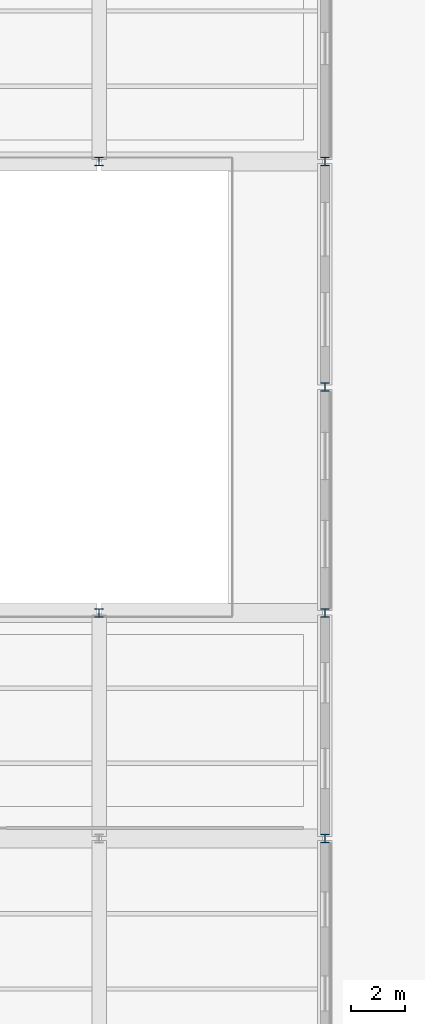
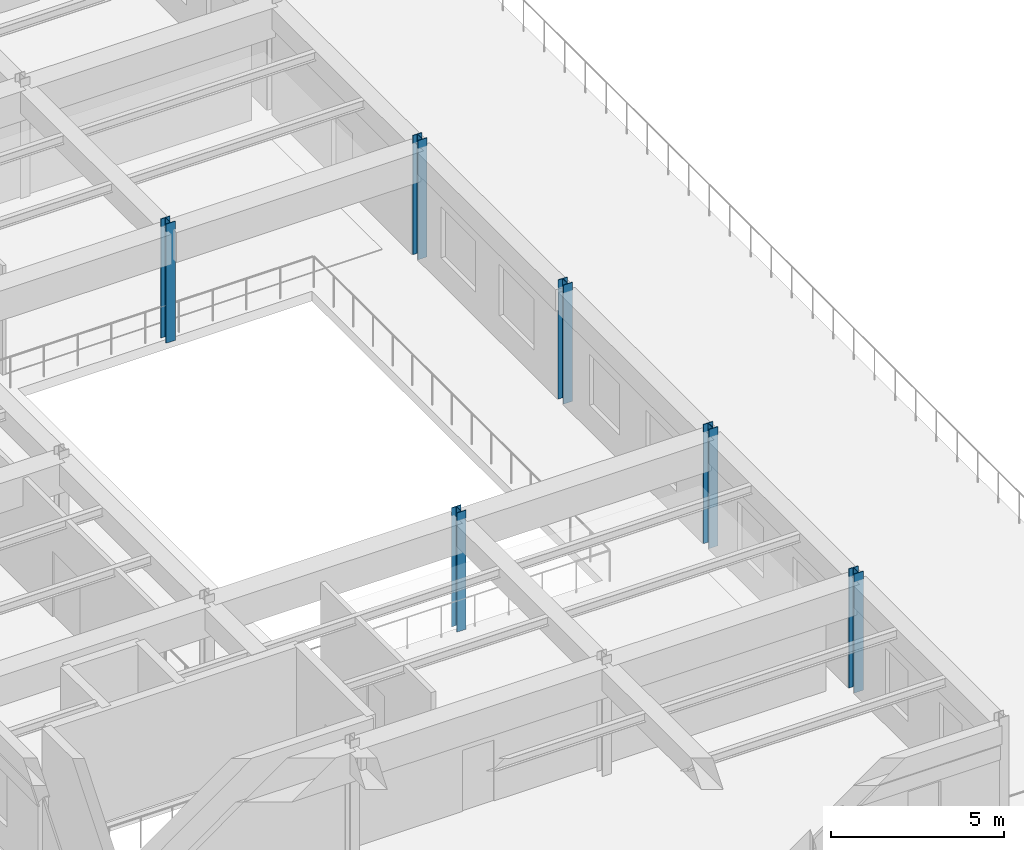
# One storey, part 4 of 114: 6 columns.
"""IFC4 building model written with IfcOpenShell, lengths in metres."""

from ifc_helpers import new_model, si_unit, direction, frame, origin, origin_2d, place, context, subcontext, project, spatial, i_section, extrude, material, material_profile, profile_set, type_object, element, save


model = new_model("IFC4")

# Units and contexts
model_context = context("Model", 3, precision=1e-05, world=origin(), true_north=direction((0.0, 1.0)))
body_context = subcontext(model_context, "Body", "Model", "MODEL_VIEW")
ifc_project = project(units=[si_unit("LENGTHUNIT", "METRE"), si_unit("AREAUNIT", "SQUARE_METRE"), si_unit("VOLUMEUNIT", "CUBIC_METRE"), si_unit("PLANEANGLEUNIT", "RADIAN"), si_unit("MASSUNIT", "GRAM", prefix="KILO"), si_unit("THERMODYNAMICTEMPERATUREUNIT", "KELVIN"), si_unit("POWERUNIT", "WATT")], contexts=[model_context])

# Site, building, storey
site_placement = place(None, origin())
site = spatial("IfcSite", under=ifc_project, at=site_placement, CompositionType="ELEMENT")
building_placement = place(site_placement, origin())
building = spatial("IfcBuilding", under=site, at=building_placement, Name="Darbajah Civic Hall", CompositionType="ELEMENT")
storey_placement = place(building_placement, frame((0.0, 0.0, 13.800048828125)))
storey = spatial("IfcBuildingStorey", under=building, at=storey_placement, Name="L03", CompositionType="ELEMENT", Elevation=13.800048828125)

# Columns
ifc_material = material(Name="Steel S355JR", Category="steel")
ifc_material_profile = material_profile(ifc_material, i_section(OverallWidth=0.30908203125, OverallDepth=0.320556640625, WebThickness=0.013916015625, FlangeThickness=0.021728515625, FilletRadius=0.01513671875, at=origin_2d()), Name="UC 305x305x137")
ifc_profile_set = profile_set([ifc_material_profile], Name="Steel S355JR")
column_type = type_object("IfcColumnType", Name="UC 305x305x137", PredefinedType="COLUMN", material=ifc_profile_set)
for number, where, z_axis, x_axis, name in (
    (1, (161.39990234375, 73.199951171875, 0.0), (0.0, 0.0, 1.0), (1.0, 0.0, 0.0), "L03 column C-UC305"),
    (2, (161.39990234375, 90.0, 0.0), (0.0, 0.0, 1.0), (1.0, 0.0, 0.0), "L03 column C-UC305"),
    (3, (169.800048828125, 64.800048828125, 0.0), (0.0, 0.0, 1.0), (1.0, 0.0, 0.0), "L03 column C-UC305"),
    (4, (169.800048828125, 73.199951171875, 0.0), (0.0, 0.0, 1.0), (1.0, 0.0, 0.0), "L03 column C-UC305"),
    (5, (169.800048828125, 81.60009765625, 0.0), (0.0, 0.0, 1.0), (1.0, 0.0, 0.0), "L03 column C-UC305"),
    (6, (169.800048828125, 90.0, 0.0), (0.0, 0.0, 1.0), (1.0, 0.0, 0.0), "L03 column C-UC305"),
):
    element("IfcColumn", number, at=place(storey_placement, frame(where, z_axis=z_axis, x_axis=x_axis)), inside=storey, type_object=column_type, Name=name, PredefinedType="COLUMN", context=body_context, shape_type="SweptSolid", body=[
        extrude(i_section(OverallWidth=0.30908203125, OverallDepth=0.320556640625, WebThickness=0.013916015625, FlangeThickness=0.021728515625, FilletRadius=0.01513671875, at=origin_2d()), origin(), (0.0, 0.0, 1.0), 4.199951171875),
    ])

save(model, "model.ifc")
